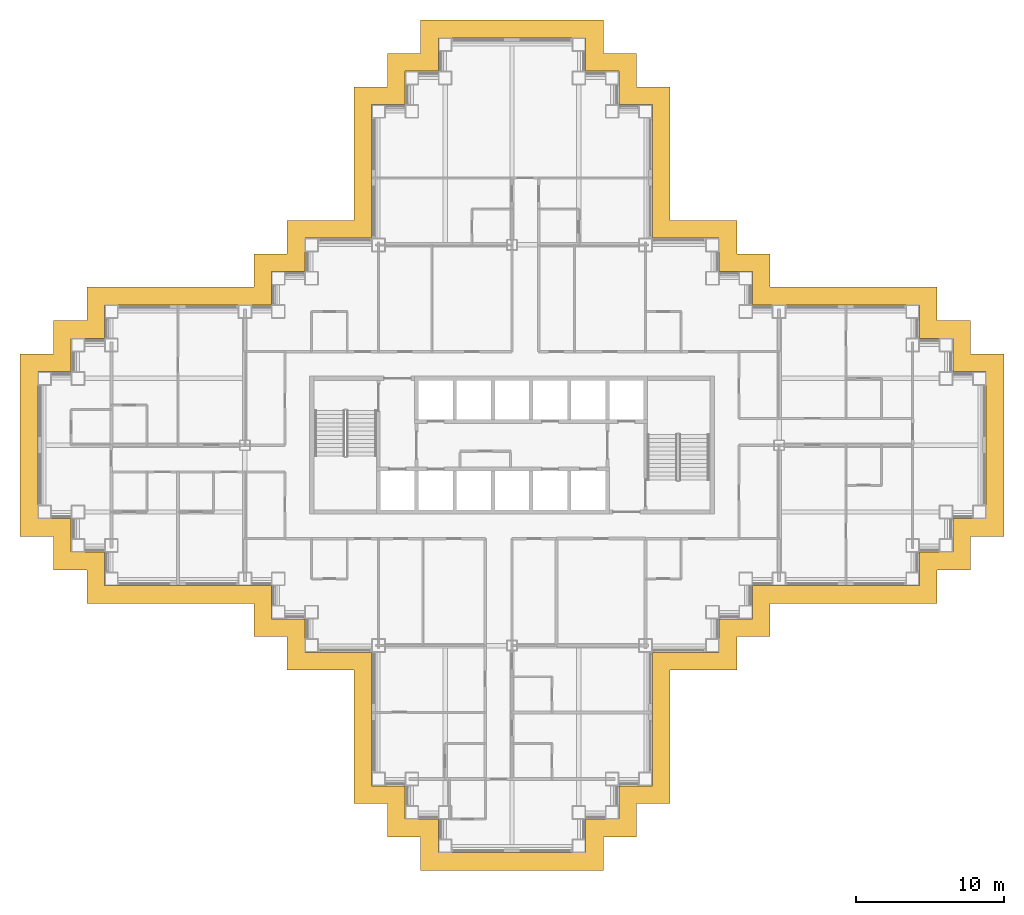
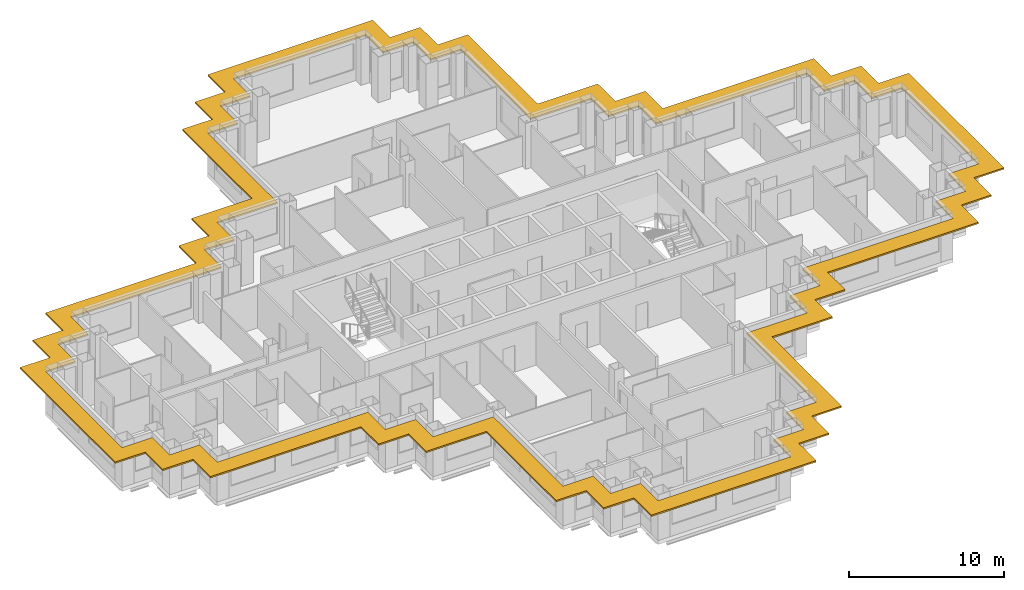
# One storey, part 14 of 15: 1 shading device.
"""IFC4 building model written with IfcOpenShell, lengths in metres."""

from ifc_helpers import new_model, si_unit, direction, frame, origin, place, context, subcontext, project, spatial, polyline, outline, extrude, material, layer, layer_set, type_object, element, save


model = new_model("IFC4")

# Units and contexts
model_context = context("Model", 3, precision=1e-05, world=origin(), true_north=direction((0.0, 1.0)))
body_context = subcontext(model_context, "Body", "Model", "MODEL_VIEW")
ifc_project = project(units=[si_unit("LENGTHUNIT", "METRE"), si_unit("AREAUNIT", "SQUARE_METRE"), si_unit("VOLUMEUNIT", "CUBIC_METRE"), si_unit("PLANEANGLEUNIT", "RADIAN"), si_unit("MASSUNIT", "GRAM", prefix="KILO")], contexts=[model_context])

# Site, building, storey
site_placement = place(None, origin())
site = spatial("IfcSite", under=ifc_project, at=site_placement, CompositionType="ELEMENT")
building_placement = place(site_placement, origin())
building = spatial("IfcBuilding", under=site, at=building_placement, Name="Caravel Reach Hotel and Residences", CompositionType="ELEMENT")
storey_placement = place(building_placement, frame((0.0, 0.0, 108.0)))
storey = spatial("IfcBuildingStorey", under=building, at=storey_placement, Name="L26", CompositionType="ELEMENT", Elevation=108.0)

# Shading device
ifc_material = material(Name="Black powder-coated aluminium", Category="aluminium")
ifc_layer = layer(ifc_material, 0.1201171875)
ifc_layer_set = layer_set([ifc_layer], Name="SS1 Sunshade band 1200")
shading_device_type = type_object("IfcShadingDeviceType", Name="SS1 Sunshade band 1200", PredefinedType="USERDEFINED", material=ifc_layer_set)
shading_device_placement = place(storey_placement, frame((0.0, 0.0, 3.0400390625)))
element("IfcShadingDevice", 1, at=shading_device_placement, inside=storey, type_object=shading_device_type, Name="Sunshade L26 1", ObjectType="SUNSHADE", PredefinedType="USERDEFINED", context=body_context, shape_type="SweptSolid", body=[
    extrude(outline(polyline([(20.85009765625, 11.85009765625), (20.85009765625, 2.85009765625), (23.10009765625, 2.85009765625), (23.10009765625, 0.60009765625), (25.35009765625, 0.60009765625), (25.35009765625, -1.64990234375), (37.64990234375, -1.64990234375), (37.64990234375, 0.60009765625), (39.89990234375, 0.60009765625), (39.89990234375, 2.85009765625), (42.14990234375, 2.85009765625), (42.14990234375, 11.85009765625), (46.64990234375, 11.85009765625), (46.64990234375, 14.10009765625), (48.89990234375, 14.10009765625), (48.89990234375, 16.35009765625), (60.14990234375, 16.35009765625), (60.14990234375, 18.60009765625), (62.39990234375, 18.60009765625), (62.39990234375, 20.85009765625), (64.64990234375, 20.85009765625), (64.64990234375, 33.14990234375), (62.39990234375, 33.14990234375), (62.39990234375, 35.39990234375), (60.14990234375, 35.39990234375), (60.14990234375, 37.64990234375), (48.89990234375, 37.64990234375), (48.89990234375, 39.89990234375), (46.64990234375, 39.89990234375), (46.64990234375, 42.14990234375), (42.14990234375, 42.14990234375), (42.14990234375, 51.14990234375), (39.89990234375, 51.14990234375), (39.89990234375, 53.39990234375), (37.64990234375, 53.39990234375), (37.64990234375, 55.64990234375), (25.35009765625, 55.64990234375), (25.35009765625, 53.39990234375), (23.10009765625, 53.39990234375), (23.10009765625, 51.14990234375), (20.85009765625, 51.14990234375), (20.85009765625, 42.14990234375), (16.35009765625, 42.14990234375), (16.35009765625, 39.89990234375), (14.10009765625, 39.89990234375), (14.10009765625, 37.64990234375), (2.85009765625, 37.64990234375), (2.85009765625, 35.39990234375), (0.60009765625, 35.39990234375), (0.60009765625, 33.14990234375), (-1.64990234375, 33.14990234375), (-1.64990234375, 20.85009765625), (0.60009765625, 20.85009765625), (0.60009765625, 18.60009765625), (2.85009765625, 18.60009765625), (2.85009765625, 16.35009765625), (14.10009765625, 16.35009765625), (14.10009765625, 14.10009765625), (16.35009765625, 14.10009765625), (16.35009765625, 11.85009765625), (20.85009765625, 11.85009765625)]), holes=[polyline([(24.300048828125, 4.050048828125), (22.050048828125, 4.050048828125), (22.050048828125, 13.050048828125), (17.550048828125, 13.050048828125), (17.550048828125, 15.300048828125), (15.300048828125, 15.300048828125), (15.300048828125, 17.550048828125), (4.050048828125, 17.550048828125), (4.050048828125, 19.800048828125), (1.800048828125, 19.800048828125), (1.800048828125, 22.050048828125), (-0.449951171875, 22.050048828125), (-0.449951171875, 31.949951171875), (1.800048828125, 31.949951171875), (1.800048828125, 34.199951171875), (4.050048828125, 34.199951171875), (4.050048828125, 36.449951171875), (15.300048828125, 36.449951171875), (15.300048828125, 38.699951171875), (17.550048828125, 38.699951171875), (17.550048828125, 40.949951171875), (22.050048828125, 40.949951171875), (22.050048828125, 49.949951171875), (24.300048828125, 49.949951171875), (24.300048828125, 52.199951171875), (26.550048828125, 52.199951171875), (26.550048828125, 54.449951171875), (36.449951171875, 54.449951171875), (36.449951171875, 52.199951171875), (38.699951171875, 52.199951171875), (38.699951171875, 49.949951171875), (40.949951171875, 49.949951171875), (40.949951171875, 40.949951171875), (45.449951171875, 40.949951171875), (45.449951171875, 38.699951171875), (47.699951171875, 38.699951171875), (47.699951171875, 36.449951171875), (58.949951171875, 36.449951171875), (58.949951171875, 34.199951171875), (61.199951171875, 34.199951171875), (61.199951171875, 31.949951171875), (63.449951171875, 31.949951171875), (63.449951171875, 22.050048828125), (61.199951171875, 22.050048828125), (61.199951171875, 19.800048828125), (58.949951171875, 19.800048828125), (58.949951171875, 17.550048828125), (47.699951171875, 17.550048828125), (47.699951171875, 15.300048828125), (45.449951171875, 15.300048828125), (45.449951171875, 13.050048828125), (40.949951171875, 13.050048828125), (40.949951171875, 4.050048828125), (38.699951171875, 4.050048828125), (38.699951171875, 1.800048828125), (36.449951171875, 1.800048828125), (36.449951171875, -0.449951171875), (26.550048828125, -0.449951171875), (26.550048828125, 1.800048828125), (24.300048828125, 1.800048828125), (24.300048828125, 4.050048828125)])]), origin(), (0.0, 0.0, 1.0), 0.119873046875),
])

save(model, "model.ifc")
